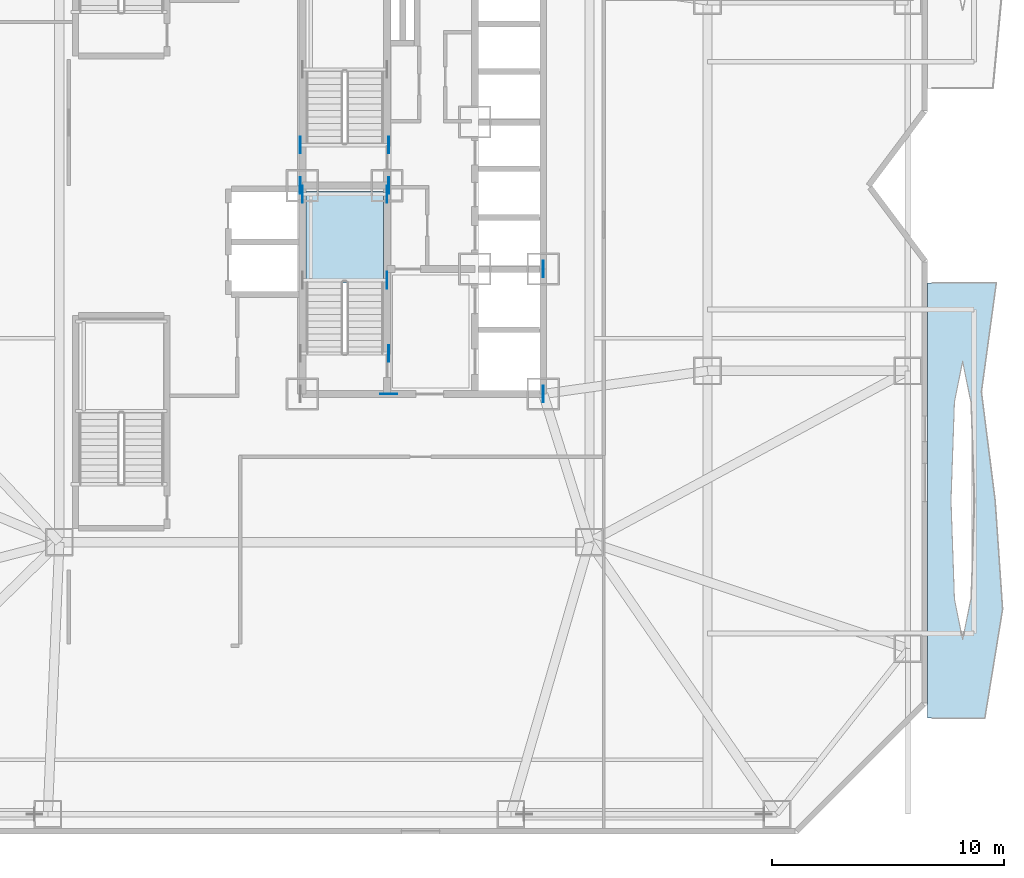
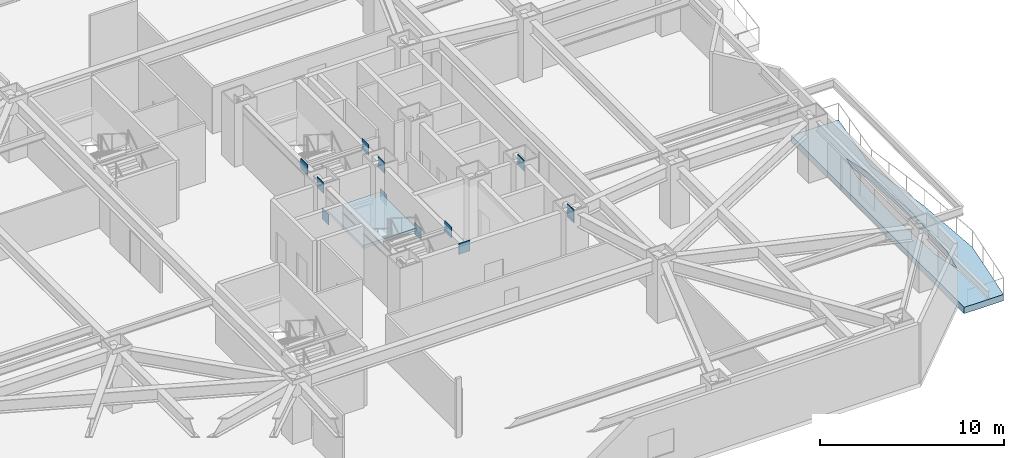
# One storey, part 11 of 24: 12 plates, 2 slabs, 1 element without a shape of its own.
"""IFC4 building model written with IfcOpenShell, lengths in metres."""

from ifc_helpers import new_model, si_unit, direction, frame, origin, origin_2d, place, context, subcontext, project, spatial, polyline, rectangle, outline, extrude, material, layer, layer_set, type_object, element, aggregate, save


model = new_model("IFC4")

# Units and contexts
model_context = context("Model", 3, precision=1e-05, world=origin(), true_north=direction((0.0, 1.0)))
body_context = subcontext(model_context, "Body", "Model", "MODEL_VIEW")
ifc_project = project(units=[si_unit("LENGTHUNIT", "METRE"), si_unit("AREAUNIT", "SQUARE_METRE"), si_unit("VOLUMEUNIT", "CUBIC_METRE"), si_unit("PLANEANGLEUNIT", "RADIAN"), si_unit("MASSUNIT", "GRAM", prefix="KILO")], contexts=[model_context])

# Site, building, storey
site_placement = place(None, origin())
site = spatial("IfcSite", under=ifc_project, at=site_placement, CompositionType="ELEMENT")
building_placement = place(site_placement, origin())
building = spatial("IfcBuilding", under=site, at=building_placement, Name="Khamvora Tower", CompositionType="ELEMENT")
storey_placement = place(building_placement, frame((0.0, 0.0, 20.39990234375)))
storey = spatial("IfcBuildingStorey", under=building, at=storey_placement, Name="L04", CompositionType="ELEMENT", Elevation=20.39990234375)

# Plates
ifc_material_1 = material(Name="Steel S460", Category="steel")
ifc_layer_1 = layer(ifc_material_1, 0.034912109375)
ifc_layer_set_1 = layer_set([ifc_layer_1], Name="Steel S460")
plate_type = type_object("IfcPlateType", Name="PL-EMB-35", PredefinedType="SHEET", material=ifc_layer_set_1)
for number, where, z_axis, x_axis, name in (
    (1, (32.64990234375, 23.9150390625, 1.4091796875), (0.0, 0.0, 1.0), (1.0, 0.0, 0.0), "L04 core shear wall cast-in embed plate 0152"),
    (2, (29.0, 27.6298828125, 1.4091796875), (0.0, 0.0, 1.0), (1.0, 0.0, 0.0), "L04 core shear wall cast-in embed plate 0153"),
    (3, (32.64990234375, 27.6298828125, 1.4091796875), (0.0, 0.0, 1.0), (1.0, 0.0, 0.0), "L04 core shear wall cast-in embed plate 0154"),
    (4, (39.39990234375, 19.0, 3.13330078125), (0.0, 0.0, 1.0), (1.0, 0.0, 0.0), "L04 core shear wall cast-in embed plate 0160"),
    (5, (28.89990234375, 28.0, 3.29296875), (0.0, 0.0, 1.0), (1.0, 0.0, 0.0), "L04 core shear wall cast-in embed plate 0163"),
):
    element("IfcPlate", number, at=place(storey_placement, frame(where, z_axis=z_axis, x_axis=x_axis)), inside=storey, type_object=plate_type, Name=name, PredefinedType="SHEET", context=body_context, shape_type="SweptSolid", body=[
        extrude(rectangle(XDim=0.034912109375, YDim=0.719970703125, at=origin_2d()), origin(), (0.0, 0.0, 1.0), 0.719970703125),
    ])
plate_placement = place(storey_placement, frame((32.72998046875, 19.0, 3.29296875), z_axis=(0.0, 0.0, 1.0), x_axis=(1.0, 0.0, 0.0)))
element("IfcPlate", 6, at=plate_placement, inside=storey, type_object=plate_type, Name="L04 core shear wall cast-in embed plate 0165", PredefinedType="SHEET", context=body_context, shape_type="SweptSolid", body=[
    extrude(rectangle(XDim=0.719970703125, YDim=0.034912109375, at=origin_2d()), origin(), (0.0, 0.0, 1.0), 0.719970703125),
])
for number, where, z_axis, x_axis, name in (
    (7, (32.72998046875, 28.0, 3.29296875), (0.0, 0.0, 1.0), (1.0, 0.0, 0.0), "L04 core shear wall cast-in embed plate 0166"),
    (8, (39.39990234375, 19.0, 3.29296875), (0.0, 0.0, 1.0), (1.0, 0.0, 0.0), "L04 core shear wall cast-in embed plate 0168"),
    (9, (39.39990234375, 24.39990234375, 3.29296875), (0.0, 0.0, 1.0), (1.0, 0.0, 0.0), "L04 core shear wall cast-in embed plate 0169"),
    (10, (32.72998046875, 20.75, 3.43408203125), (0.0, 0.0, 1.0), (1.0, 0.0, 0.0), "L04 core shear wall cast-in embed plate 0172"),
    (11, (28.89990234375, 29.75, 3.43408203125), (0.0, 0.0, 1.0), (1.0, 0.0, 0.0), "L04 core shear wall cast-in embed plate 0173"),
    (12, (32.72998046875, 29.75, 3.43408203125), (0.0, 0.0, 1.0), (1.0, 0.0, 0.0), "L04 core shear wall cast-in embed plate 0174"),
):
    element("IfcPlate", number, at=place(storey_placement, frame(where, z_axis=z_axis, x_axis=x_axis)), inside=storey, type_object=plate_type, Name=name, PredefinedType="SHEET", context=body_context, shape_type="SweptSolid", body=[
        extrude(rectangle(XDim=0.034912109375, YDim=0.719970703125, at=origin_2d()), origin(), (0.0, 0.0, 1.0), 0.719970703125),
    ])

# Slab
ifc_material_2 = material(Name="Concrete C40/50", Category="concrete")
ifc_layer_2 = layer(ifc_material_2, 0.419921875)
ifc_layer_set_2 = layer_set([ifc_layer_2], Name="Concrete C40/50")
slab_type_1 = type_object("IfcSlabType", Name="SLB-GRD-420", PredefinedType="FLOOR", material=ifc_layer_set_2)
slab_1_placement = place(storey_placement, frame((0.0, 0.0, -0.419921875)))
element("IfcSlab", 13, at=slab_1_placement, inside=storey, type_object=slab_type_1, Name="L04 external lens gallery slab EL1", PredefinedType="FLOOR", context=body_context, shape_type="SweptSolid", body=[
    extrude(outline(polyline([(58.472900390625, 5.0), (59.240966796875, 9.699951171875), (58.9189453125, 14.39990234375), (58.325927734375, 19.10009765625), (58.969970703125, 23.800048828125), (56.0, 23.800048828125), (56.0, 5.0), (58.472900390625, 5.0)]), holes=[polyline([(58.01904296875, 14.39990234375), (57.87109375, 18.654052734375), (57.514892578125, 20.416015625), (57.158935546875, 18.654052734375), (57.010986328125, 14.39990234375), (57.158935546875, 10.14599609375), (57.514892578125, 8.384033203125), (57.87109375, 10.14599609375), (58.01904296875, 14.39990234375)])]), origin(), (0.0, 0.0, 1.0), 0.419921875),
])

# Stair, slab
stair_type = type_object("IfcStairType", Name="STR-ST-01", PredefinedType="HALF_TURN_STAIR", material=ifc_material_2)
stair_placement = place(storey_placement, origin())
stair = element("IfcStair", 14, at=stair_placement, inside=storey, type_object=stair_type, Name="L04 South Tower Exit Stair ST-01", PredefinedType="HALF_TURN_STAIR")
ifc_layer_3 = layer(ifc_material_2, 0.199951171875)
ifc_layer_set_3 = layer_set([ifc_layer_3], Name="Concrete C40/50")
slab_type_2 = type_object("IfcSlabType", Name="SLB-LND-200", PredefinedType="LANDING", material=ifc_layer_set_3)
slab_2_placement = place(storey_placement, frame((0.0, 0.0, 1.900146484375)))
slab_2 = element("IfcSlab", 15, at=slab_2_placement, type_object=slab_type_2, Name="ST-01 landing 1", PredefinedType="LANDING", context=body_context, shape_type="SweptSolid", body=[
    extrude(outline(polyline([(32.5, 23.794921875), (32.5, 27.75), (29.14990234375, 27.75), (29.14990234375, 23.794921875), (32.5, 23.794921875)])), origin(), (0.0, 0.0, 1.0), 0.199951171875),
])
aggregate(stair, [slab_2])

save(model, "model.ifc")
